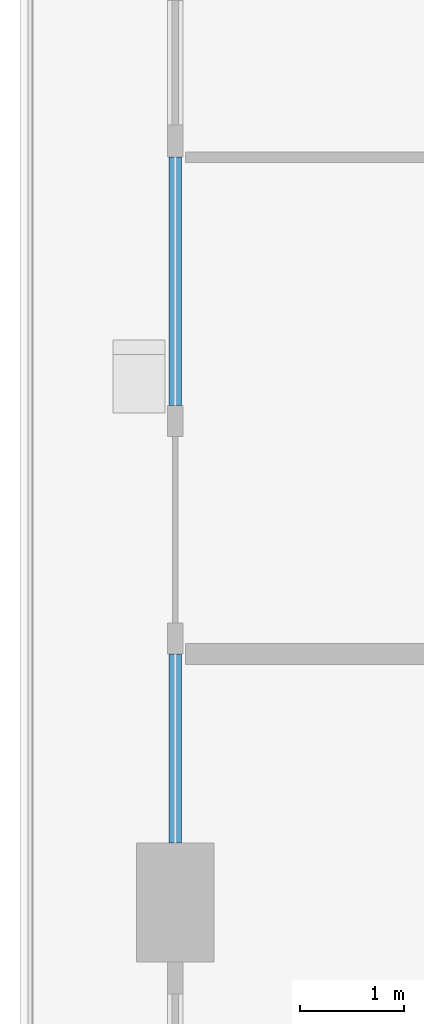
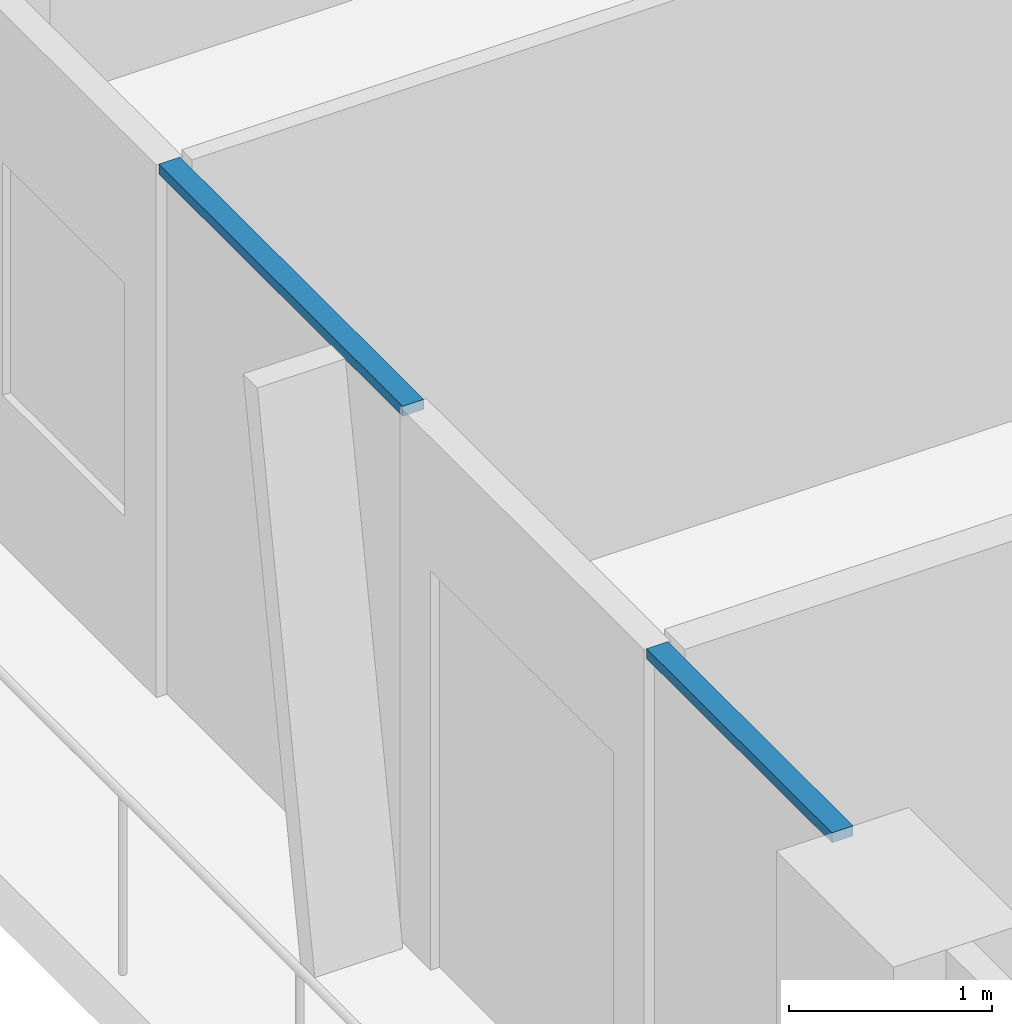
# One storey, part 3 of 22: 2 members, 1 element without a shape of its own.
"""IFC4 building model written with IfcOpenShell, lengths in metres."""

from ifc_helpers import new_model, si_unit, direction, frame, origin, origin_2d, place, context, subcontext, project, spatial, rectangle, extrude, material, layer, layer_set, material_profile, profile_set, type_object, element, aggregate, save


model = new_model("IFC4")

# Units and contexts
model_context = context("Model", 3, precision=1e-05, world=origin(), true_north=direction((0.0, 1.0)))
body_context = subcontext(model_context, "Body", "Model", "MODEL_VIEW")
ifc_project = project(units=[si_unit("LENGTHUNIT", "METRE"), si_unit("AREAUNIT", "SQUARE_METRE"), si_unit("VOLUMEUNIT", "CUBIC_METRE"), si_unit("PLANEANGLEUNIT", "RADIAN"), si_unit("MASSUNIT", "GRAM", prefix="KILO")], contexts=[model_context])

# Site, building, storey
site_placement = place(None, origin())
site = spatial("IfcSite", under=ifc_project, at=site_placement, CompositionType="ELEMENT")
building_placement = place(site_placement, origin())
building = spatial("IfcBuilding", under=site, at=building_placement, Name="Madar Terraces", CompositionType="ELEMENT")
storey_placement = place(building_placement, frame((0.0, 0.0, 166.5)))
storey = spatial("IfcBuildingStorey", under=building, at=storey_placement, Name="L43", CompositionType="ELEMENT", Elevation=166.5)

# Curtain wall, members
ifc_material_1 = material(Name="Glass, ceramic frit dark grey, with black aluminium frame", Category="aluminium")
ifc_layer = layer(ifc_material_1, 0.199951171875)
ifc_layer_set = layer_set([ifc_layer], Name="Facade curtain wall, fritted glass")
curtain_wall_type = type_object("IfcCurtainWallType", Name="Facade curtain wall, fritted glass", PredefinedType="NOTDEFINED", material=ifc_layer_set)
curtain_wall_placement = place(storey_placement, origin())
curtain_wall = element("IfcCurtainWall", 1, at=curtain_wall_placement, inside=storey, type_object=curtain_wall_type, Name="Outer skin curtain wall west bay 2", PredefinedType="NOTDEFINED")
ifc_material_2 = material(Name="Aluminium, black anodised", Category="aluminium")
ifc_material_profile = material_profile(ifc_material_2, rectangle(XDim=0.1201171875, YDim=0.06005859375, at=origin_2d()), Name="Facade transom 60x120")
ifc_profile_set = profile_set([ifc_material_profile], Name="Aluminium, black anodised")
member_type = type_object("IfcMemberType", Name="Facade transom 60x120", PredefinedType="USERDEFINED", material=ifc_profile_set)
member_1_placement = place(storey_placement, frame((0.0, 31.199951171875, 3.169921875), z_axis=(0.0, -1.0, 0.0), x_axis=(1.0, 0.0, 0.0)))
member_1 = element("IfcMember", 2, at=member_1_placement, type_object=member_type, Name="Transom 1", ObjectType="TRANSOM", PredefinedType="USERDEFINED", context=body_context, shape_type="SweptSolid", body=[
    extrude(rectangle(XDim=0.1201171875, YDim=0.06005859375, at=origin_2d()), origin(), (0.0, 0.0, 1.0), 2.39990234375),
])
member_2_placement = place(storey_placement, frame((0.0, 26.39990234375, 3.169921875), z_axis=(0.0, -1.0, 0.0), x_axis=(1.0, 0.0, 0.0)))
member_2 = element("IfcMember", 3, at=member_2_placement, type_object=member_type, Name="Transom 2", ObjectType="TRANSOM", PredefinedType="USERDEFINED", context=body_context, shape_type="SweptSolid", body=[
    extrude(rectangle(XDim=0.1201171875, YDim=0.06005859375, at=origin_2d()), origin(), (0.0, 0.0, 1.0), 1.824951171875),
])
aggregate(curtain_wall, [member_1, member_2])

save(model, "model.ifc")
